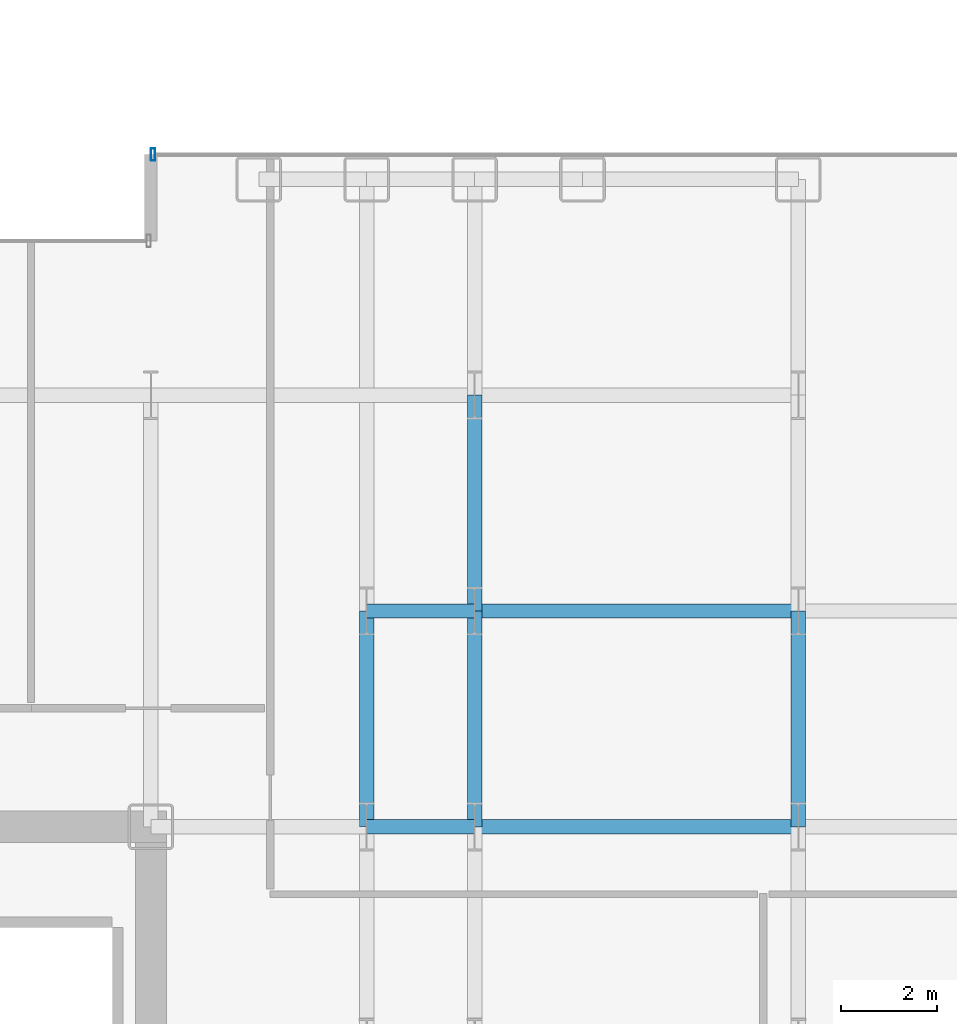
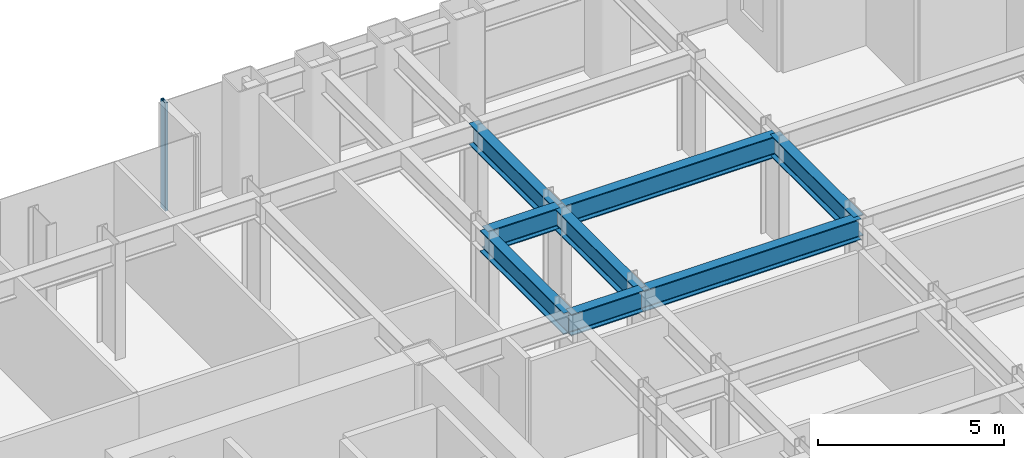
# One storey, part 15 of 29: 8 beams, 1 member, 1 element without a shape of its own.
"""IFC4 building model written with IfcOpenShell, lengths in metres."""

from ifc_helpers import new_model, si_unit, direction, frame, origin, origin_2d, place, context, subcontext, project, spatial, hollow_rectangle, i_section, extrude, source, transform, mapped, material, layer, layer_set, material_profile, profile_set, type_object, element, aggregate, save


model = new_model("IFC4")

# Units and contexts
model_context = context("Model", 3, precision=1e-05, world=origin(), true_north=direction((0.0, 1.0)))
body_context = subcontext(model_context, "Body", "Model", "MODEL_VIEW")
ifc_project = project(units=[si_unit("LENGTHUNIT", "METRE"), si_unit("AREAUNIT", "SQUARE_METRE"), si_unit("VOLUMEUNIT", "CUBIC_METRE"), si_unit("PLANEANGLEUNIT", "RADIAN"), si_unit("MASSUNIT", "GRAM", prefix="KILO")], contexts=[model_context])

# Site, building, storey
site_placement = place(None, origin())
site = spatial("IfcSite", under=ifc_project, at=site_placement, CompositionType="ELEMENT")
building_placement = place(site_placement, origin())
building = spatial("IfcBuilding", under=site, at=building_placement, Name="Nefas-Gora Pilgrimage Tower", CompositionType="ELEMENT")
storey_placement = place(building_placement, frame((0.0, 0.0, 78.60009765625)))
storey = spatial("IfcBuildingStorey", under=building, at=storey_placement, Name="L18", CompositionType="ELEMENT", Elevation=78.60009765625)

# Beams
ifc_material_1 = material(Name="Steel S355", Category="steel")
ifc_material_profile_1 = material_profile(ifc_material_1, i_section(OverallWidth=0.300048828125, OverallDepth=0.699951171875, WebThickness=0.01708984375, FlangeThickness=0.031982421875, FilletRadius=0.027099609375, at=origin_2d()), Name="HEB 700")
ifc_profile_set_1 = profile_set([ifc_material_profile_1], Name="Steel S355")
beam_type = type_object("IfcBeamType", Name="BM-GIR-HEB700", PredefinedType="BEAM", material=ifc_profile_set_1)
shared_shape_1 = source(origin(), body_context, "Body", "SweptSolid", [
    extrude(i_section(OverallWidth=0.300048828125, OverallDepth=0.699951171875, WebThickness=0.01708984375, FlangeThickness=0.031982421875, FilletRadius=0.027099609375, at=origin_2d()), origin(), (0.0, 0.0, 1.0), 4.5),
])
for number, where, z_axis, x_axis, name in (
    (1, (15.75, 9.0, 3.199951171875), (0.0, 1.0, 0.0), (-1.0, 0.0, 0.0), "L18 G-02 beam"),
    (2, (18.0, 9.0, 3.199951171875), (0.0, 1.0, 0.0), (-1.0, 0.0, 0.0), "L18 G-02 beam"),
    (3, (18.0, 13.5, 3.199951171875), (0.0, 1.0, 0.0), (-1.0, 0.0, 0.0), "L18 G-02 beam"),
    (4, (24.75, 9.0, 3.199951171875), (0.0, 1.0, 0.0), (-1.0, 0.0, 0.0), "L18 G-02 beam"),
):
    element("IfcBeam", number, at=place(storey_placement, frame(where, z_axis=z_axis, x_axis=x_axis)), inside=storey, type_object=beam_type, Name=name, PredefinedType="BEAM", context=body_context, shape_type="MappedRepresentation", body=[
        mapped(shared_shape_1, transform((0.0, 0.0, 0.0), x_axis=(1.0, 0.0, 0.0), y_axis=(0.0, 1.0, 0.0), z_axis=(0.0, 0.0, 1.0), scale=1.0)),
    ])
shared_shape_2 = source(origin(), body_context, "Body", "SweptSolid", [
    extrude(i_section(OverallWidth=0.300048828125, OverallDepth=0.699951171875, WebThickness=0.01708984375, FlangeThickness=0.031982421875, FilletRadius=0.027099609375, at=origin_2d()), origin(), (0.0, 0.0, 1.0), 6.75),
])
for number, where, z_axis, x_axis, name in (
    (5, (18.0, 9.0, 3.199951171875), (1.0, 0.0, 0.0), (0.0, 1.0, 0.0), "L18 G-02 beam"),
    (6, (18.0, 13.5, 3.199951171875), (1.0, 0.0, 0.0), (0.0, 1.0, 0.0), "L18 G-02 beam"),
):
    element("IfcBeam", number, at=place(storey_placement, frame(where, z_axis=z_axis, x_axis=x_axis)), inside=storey, type_object=beam_type, Name=name, PredefinedType="BEAM", context=body_context, shape_type="MappedRepresentation", body=[
        mapped(shared_shape_2, transform((0.0, 0.0, 0.0), x_axis=(1.0, 0.0, 0.0), y_axis=(0.0, 1.0, 0.0), z_axis=(0.0, 0.0, 1.0), scale=1.0)),
    ])
shared_shape_3 = source(origin(), body_context, "Body", "SweptSolid", [
    extrude(i_section(OverallWidth=0.300048828125, OverallDepth=0.699951171875, WebThickness=0.01708984375, FlangeThickness=0.031982421875, FilletRadius=0.027099609375, at=origin_2d()), origin(), (0.0, 0.0, 1.0), 2.25),
])
for number, where, z_axis, x_axis, name in (
    (7, (15.75, 9.0, 3.199951171875), (1.0, 0.0, 0.0), (0.0, 1.0, 0.0), "L18 G-02 beam"),
    (8, (15.75, 13.5, 3.199951171875), (1.0, 0.0, 0.0), (0.0, 1.0, 0.0), "L18 G-02 beam"),
):
    element("IfcBeam", number, at=place(storey_placement, frame(where, z_axis=z_axis, x_axis=x_axis)), inside=storey, type_object=beam_type, Name=name, PredefinedType="BEAM", context=body_context, shape_type="MappedRepresentation", body=[
        mapped(shared_shape_3, transform((0.0, 0.0, 0.0), x_axis=(1.0, 0.0, 0.0), y_axis=(0.0, 1.0, 0.0), z_axis=(0.0, 0.0, 1.0), scale=1.0)),
    ])

# Curtain wall, member
ifc_material_2 = material(Name="Dark ceramic-fritted solar-control aluminium-glass curtain wall", Category="aluminium")
ifc_layer = layer(ifc_material_2, 0.219970703125)
ifc_layer_set = layer_set([ifc_layer], Name="Dark ceramic-fritted solar-control aluminium-glass curtain wall")
curtain_wall_type = type_object("IfcCurtainWallType", Name="CW-SYS-2", PredefinedType="NOTDEFINED", material=ifc_layer_set)
curtain_wall_placement = place(storey_placement, origin())
curtain_wall = element("IfcCurtainWall", 9, at=curtain_wall_placement, inside=storey, type_object=curtain_wall_type, Name="L18 Unitised Curtain Wall CW2", PredefinedType="NOTDEFINED")
ifc_material_3 = material(Name="Anodised architectural aluminium", Category="aluminium")
ifc_material_profile_2 = material_profile(ifc_material_3, hollow_rectangle(XDim=0.090087890625, YDim=0.260009765625, WallThickness=0.006103515625, InnerFilletRadius=0.006103515625, OuterFilletRadius=0.011962890625, at=origin_2d()), Name="ALU MULLION 90x260")
ifc_profile_set_2 = profile_set([ifc_material_profile_2], Name="Anodised architectural aluminium")
member_type = type_object("IfcMemberType", Name="CWM-MUL-2", PredefinedType="MULLION", material=ifc_profile_set_2)
shared_shape_4 = source(origin(), body_context, "Body", "SweptSolid", [
    extrude(hollow_rectangle(XDim=0.090087890625, YDim=0.260009765625, WallThickness=0.006103515625, InnerFilletRadius=0.006103515625, OuterFilletRadius=0.011962890625, at=origin_2d()), origin(), (0.0, 0.0, 1.0), 3.5498046875),
])
member_placement = place(storey_placement, frame((11.294921875, 23.02001953125, 0.0), z_axis=(0.0, 0.0, 1.0), x_axis=(-1.0, 0.0, 0.0)))
member = element("IfcMember", 10, at=member_placement, type_object=member_type, Name="CW2 Mullion 2", PredefinedType="MULLION", context=body_context, shape_type="MappedRepresentation", body=[
    mapped(shared_shape_4, transform((0.0, 0.0, 0.0), x_axis=(1.0, 0.0, 0.0), y_axis=(0.0, 1.0, 0.0), z_axis=(0.0, 0.0, 1.0), scale=1.0)),
])
aggregate(curtain_wall, [member])

save(model, "model.ifc")
